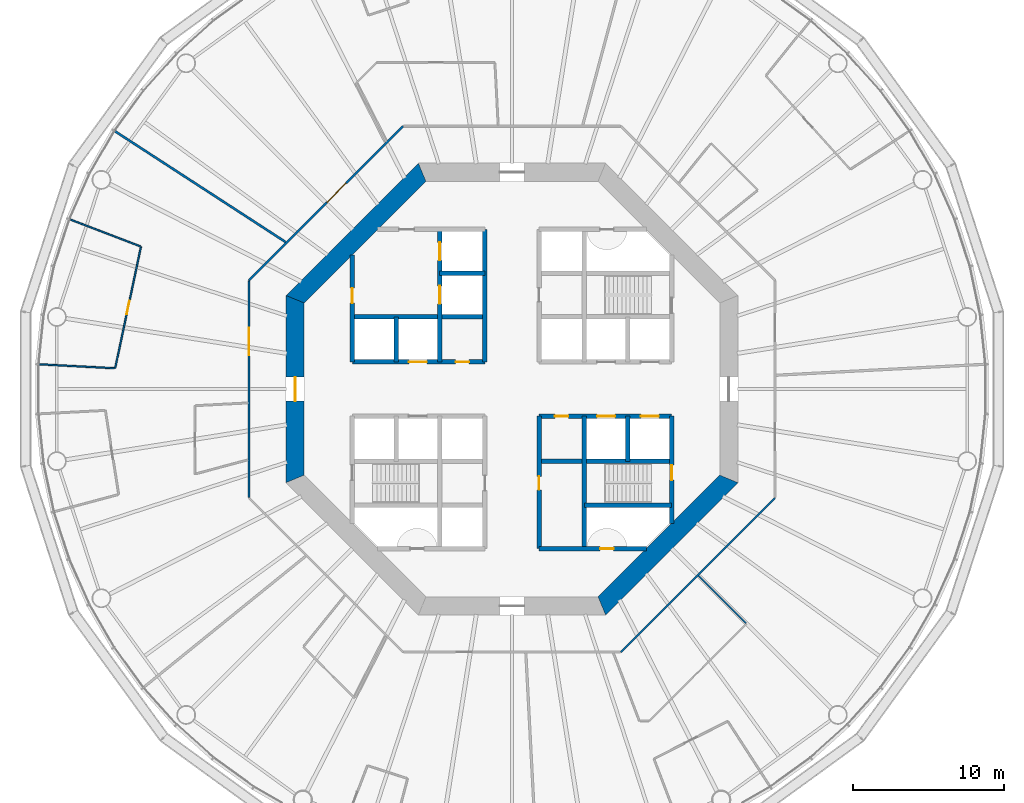
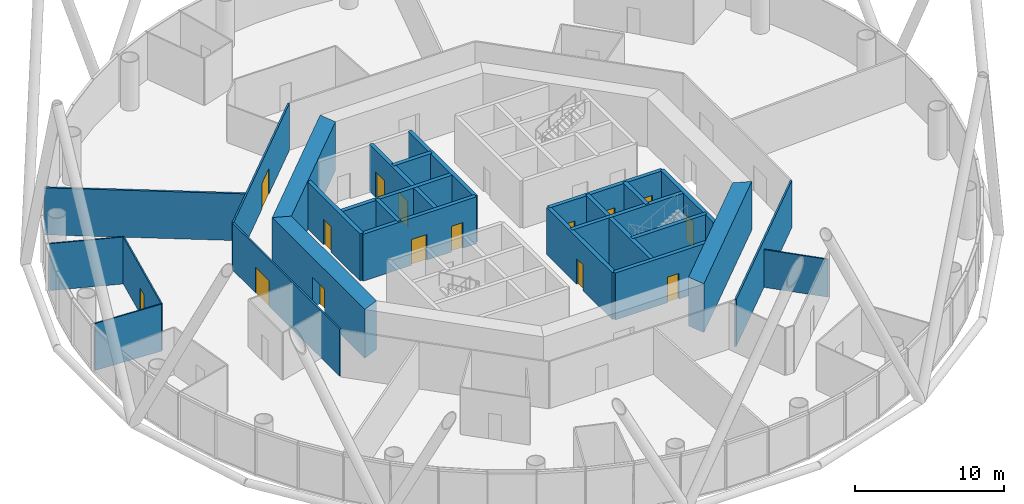
# One storey, part 4 of 13: 26 walls, 15 doors, 15 openings.
"""IFC4 building model written with IfcOpenShell, lengths in metres."""

from ifc_helpers import new_model, si_unit, direction, frame, frame_2d, origin, place, context, subcontext, project, spatial, polyline, rectangle, outline, extrude, material, layer, layer_set, type_object, element, fill, save


model = new_model("IFC4")

# Units and contexts
model_context = context("Model", 3, precision=1e-05, world=origin(), true_north=direction((0.0, 1.0)))
body_context = subcontext(model_context, "Body", "Model", "MODEL_VIEW")
ifc_project = project(units=[si_unit("LENGTHUNIT", "METRE"), si_unit("AREAUNIT", "SQUARE_METRE"), si_unit("VOLUMEUNIT", "CUBIC_METRE"), si_unit("PLANEANGLEUNIT", "RADIAN"), si_unit("MASSUNIT", "GRAM", prefix="KILO")], contexts=[model_context])

# Site, building, storey
site_placement = place(None, origin())
site = spatial("IfcSite", under=ifc_project, at=site_placement, CompositionType="ELEMENT")
building_placement = place(site_placement, origin())
building = spatial("IfcBuilding", under=site, at=building_placement, Name="Entoto Ring Tower", CompositionType="ELEMENT")
storey_placement = place(building_placement, frame((0.0, 0.0, 96.0)))
storey = spatial("IfcBuildingStorey", under=building, at=storey_placement, Name="L21", CompositionType="ELEMENT", Elevation=96.0)

# Wall, opening, door
ifc_material_1 = material(Name="Concrete C40/50", Category="concrete")
ifc_layer_1 = layer(ifc_material_1, 0.300048828125)
ifc_layer_set_1 = layer_set([ifc_layer_1], Name="Concrete C40/50")
wall_type_1 = type_object("IfcWallType", Name="Core enclosure wall 300 mm reinforced concrete", PredefinedType="SOLIDWALL", material=ifc_layer_set_1)
wall_1_placement = place(storey_placement, frame((100.60009765625, 71.083984375, 0.0), z_axis=(0.0, 0.0, 1.0), x_axis=(0.0, 1.0, 0.0)))
wall_1 = element("IfcWall", 1, at=wall_1_placement, inside=storey, type_object=wall_type_1, Name="wall-L21-001", PredefinedType="SOLIDWALL", context=body_context, shape_type="SweptSolid", body=[
    extrude(rectangle(XDim=7.115966796875, YDim=0.300048828125, at=frame_2d((3.55810546875, 0.0))), origin(), (0.0, 0.0, 1.0), 3.85009765625),
])
opening_1_placement = place(wall_1_placement, frame((2.8662109375, 0.0, 0.0)))
opening_1 = element("IfcOpeningElement", 2, at=opening_1_placement, cuts=wall_1, Name="Opening K-59", PredefinedType="OPENING", context=body_context, shape_type="SweptSolid", body=[
    extrude(rectangle(XDim=1.0, YDim=2.10009765625, at=frame_2d((0.5, 1.050048828125))), frame((0.0, 0.16015625, 0.0), z_axis=(0.0, -1.0, 0.0), x_axis=(1.0, 0.0, 0.0)), (0.0, 0.0, 1.0), 0.320068359375),
])
ifc_material_2 = material(Name="Steel door leaf, fire rated", Category="steel")
ifc_layer_2 = layer(ifc_material_2, 0.050048828125)
ifc_layer_set_2 = layer_set([ifc_layer_2], Name="Steel door leaf, fire rated")
door_type_1 = type_object("IfcDoorType", Name="Fire door FD60 1000 x 2100 single leaf", OperationType="NOTDEFINED", PredefinedType="DOOR", material=ifc_layer_set_2)
door_1_placement = place(opening_1_placement, origin())
door_1 = element("IfcDoor", 3, at=door_1_placement, inside=storey, type_object=door_type_1, Name="Door K-59", OperationType="SINGLE_SWING_RIGHT", OverallHeight=2.10009765625, OverallWidth=1.0, PredefinedType="DOOR", context=body_context, shape_type="SweptSolid", body=[
    extrude(rectangle(XDim=1.0, YDim=2.10009765625, at=frame_2d((0.5, 1.050048828125))), frame((0.0, 0.02490234375, 0.0), z_axis=(0.0, -1.0, 0.0), x_axis=(1.0, 0.0, 0.0)), (0.0, 0.0, 1.0), 0.050048828125),
])
fill(opening_1, door_1)

# Walls
wall_2_placement = place(storey_placement, frame((97.699951171875, 75.199951171875, 0.0), z_axis=(0.0, 0.0, 1.0), x_axis=(0.0, 1.0, 0.0)))
element("IfcWall", 4, at=wall_2_placement, inside=storey, type_object=wall_type_1, Name="wall-L21-003", PredefinedType="SOLIDWALL", context=body_context, shape_type="SweptSolid", body=[
    extrude(rectangle(XDim=3.0, YDim=0.300048828125, at=frame_2d((1.5, 0.0))), origin(), (0.0, 0.0, 1.0), 3.85009765625),
])
wall_3_placement = place(storey_placement, frame((94.800048828125, 69.39990234375, 0.0), z_axis=(0.0, 0.0, 1.0), x_axis=(0.0, 1.0, 0.0)))
element("IfcWall", 5, at=wall_3_placement, inside=storey, type_object=wall_type_1, Name="wall-L21-005", PredefinedType="SOLIDWALL", context=body_context, shape_type="SweptSolid", body=[
    extrude(rectangle(XDim=8.800048828125, YDim=0.300048828125, at=frame_2d((4.39990234375, 0.0))), origin(), (0.0, 0.0, 1.0), 3.85009765625),
])

# Wall, opening, door
wall_4_placement = place(storey_placement, frame((91.800048828125, 69.39990234375, 0.0), z_axis=(0.0, 0.0, 1.0), x_axis=(0.0, 1.0, 0.0)))
wall_4 = element("IfcWall", 6, at=wall_4_placement, inside=storey, type_object=wall_type_1, Name="wall-L21-007", PredefinedType="SOLIDWALL", context=body_context, shape_type="SweptSolid", body=[
    extrude(rectangle(XDim=8.800048828125, YDim=0.300048828125, at=frame_2d((4.39990234375, 0.0))), origin(), (0.0, 0.0, 1.0), 3.85009765625),
])
opening_2_placement = place(wall_4_placement, frame((3.89990234375, 0.0, 0.0)))
opening_2 = element("IfcOpeningElement", 7, at=opening_2_placement, cuts=wall_4, Name="Opening K-12", PredefinedType="OPENING", context=body_context, shape_type="SweptSolid", body=[
    extrude(rectangle(XDim=0.89990234375, YDim=2.10009765625, at=frame_2d((0.449951171875, 1.050048828125))), frame((0.0, 0.16015625, 0.0), z_axis=(0.0, -1.0, 0.0), x_axis=(1.0, 0.0, 0.0)), (0.0, 0.0, 1.0), 0.320068359375),
])
ifc_material_3 = material(Name="Steel door leaf, fire rated", Category="steel")
ifc_layer_3 = layer(ifc_material_3, 0.050048828125)
ifc_layer_set_3 = layer_set([ifc_layer_3], Name="Steel door leaf, fire rated")
door_type_2 = type_object("IfcDoorType", Name="Core door 900 x 2100 single leaf", OperationType="NOTDEFINED", PredefinedType="DOOR", material=ifc_layer_set_3)
door_2_placement = place(opening_2_placement, frame((0.89990234375, 0.0, 0.0), z_axis=(0.0, 0.0, 1.0), x_axis=(-1.0, 0.0, 0.0)))
door_2 = element("IfcDoor", 8, at=door_2_placement, inside=storey, type_object=door_type_2, Name="Door K-12", OperationType="SINGLE_SWING_LEFT", OverallHeight=2.10009765625, OverallWidth=0.89990234375, PredefinedType="DOOR", context=body_context, shape_type="SweptSolid", body=[
    extrude(rectangle(XDim=0.89990234375, YDim=2.10009765625, at=frame_2d((0.449951171875, 1.050048828125))), frame((0.0, 0.02490234375, 0.0), z_axis=(0.0, -1.0, 0.0), x_axis=(1.0, 0.0, 0.0)), (0.0, 0.0, 1.0), 0.050048828125),
])
fill(opening_2, door_2)

# Wall
wall_5_placement = place(storey_placement, frame((88.199951171875, 81.800048828125, 0.0), z_axis=(0.0, 0.0, 1.0), x_axis=(0.0, 1.0, 0.0)))
element("IfcWall", 9, at=wall_5_placement, inside=storey, type_object=wall_type_1, Name="wall-L21-010", PredefinedType="SOLIDWALL", context=body_context, shape_type="SweptSolid", body=[
    extrude(rectangle(XDim=8.800048828125, YDim=0.300048828125, at=frame_2d((4.39990234375, 0.0))), origin(), (0.0, 0.0, 1.0), 3.85009765625),
])

# Wall, openings, doors
wall_6_placement = place(storey_placement, frame((85.199951171875, 81.800048828125, 0.0), z_axis=(0.0, 0.0, 1.0), x_axis=(0.0, 1.0, 0.0)))
wall_6 = element("IfcWall", 10, at=wall_6_placement, inside=storey, type_object=wall_type_1, Name="wall-L21-012", PredefinedType="SOLIDWALL", context=body_context, shape_type="SweptSolid", body=[
    extrude(rectangle(XDim=8.800048828125, YDim=0.300048828125, at=frame_2d((4.39990234375, 0.0))), origin(), (0.0, 0.0, 1.0), 3.85009765625),
])
opening_3_placement = place(wall_6_placement, frame((3.85009765625, 0.0, 0.0)))
opening_3 = element("IfcOpeningElement", 11, at=opening_3_placement, cuts=wall_6, Name="Opening LD", PredefinedType="OPENING", context=body_context, shape_type="SweptSolid", body=[
    extrude(rectangle(XDim=1.199951171875, YDim=2.10009765625, at=frame_2d((0.60009765625, 1.050048828125))), frame((0.0, 0.16015625, 0.0), z_axis=(0.0, -1.0, 0.0), x_axis=(1.0, 0.0, 0.0)), (0.0, 0.0, 1.0), 0.320068359375),
])
opening_4_placement = place(wall_6_placement, frame((6.75, 0.0, 0.0)))
opening_4 = element("IfcOpeningElement", 12, at=opening_4_placement, cuts=wall_6, Name="Opening LD", PredefinedType="OPENING", context=body_context, shape_type="SweptSolid", body=[
    extrude(rectangle(XDim=1.199951171875, YDim=2.10009765625, at=frame_2d((0.60009765625, 1.050048828125))), frame((0.0, 0.16015625, 0.0), z_axis=(0.0, -1.0, 0.0), x_axis=(1.0, 0.0, 0.0)), (0.0, 0.0, 1.0), 0.320068359375),
])
ifc_material_4 = material(Name="Steel and glass door leaf", Category="steel")
ifc_layer_4 = layer(ifc_material_4, 0.050048828125)
ifc_layer_set_4 = layer_set([ifc_layer_4], Name="Steel and glass door leaf")
door_type_3 = type_object("IfcDoorType", Name="Landing door 1200 x 2100 sliding", OperationType="DOUBLE_DOOR_SLIDING", PredefinedType="DOOR", material=ifc_layer_set_4)
door_3_placement = place(opening_3_placement, origin())
door_3 = element("IfcDoor", 13, at=door_3_placement, inside=storey, type_object=door_type_3, Name="Landing door FF1", OperationType="SLIDING_TO_RIGHT", OverallHeight=2.10009765625, OverallWidth=1.199951171875, PredefinedType="DOOR", context=body_context, shape_type="SweptSolid", body=[
    extrude(rectangle(XDim=1.199951171875, YDim=2.10009765625, at=frame_2d((0.60009765625, 1.050048828125))), frame((0.0, 0.02490234375, 0.0), z_axis=(0.0, -1.0, 0.0), x_axis=(1.0, 0.0, 0.0)), (0.0, 0.0, 1.0), 0.050048828125),
])
fill(opening_3, door_3)
door_4_placement = place(opening_4_placement, origin())
door_4 = element("IfcDoor", 14, at=door_4_placement, inside=storey, type_object=door_type_3, Name="Landing door FF2", OperationType="SLIDING_TO_RIGHT", OverallHeight=2.10009765625, OverallWidth=1.199951171875, PredefinedType="DOOR", context=body_context, shape_type="SweptSolid", body=[
    extrude(rectangle(XDim=1.199951171875, YDim=2.10009765625, at=frame_2d((0.60009765625, 1.050048828125))), frame((0.0, 0.02490234375, 0.0), z_axis=(0.0, -1.0, 0.0), x_axis=(1.0, 0.0, 0.0)), (0.0, 0.0, 1.0), 0.050048828125),
])
fill(opening_4, door_4)

# Wall
wall_7_placement = place(storey_placement, frame((82.300048828125, 81.800048828125, 0.0), z_axis=(0.0, 0.0, 1.0), x_axis=(0.0, 1.0, 0.0)))
element("IfcWall", 15, at=wall_7_placement, inside=storey, type_object=wall_type_1, Name="wall-L21-014", PredefinedType="SOLIDWALL", context=body_context, shape_type="SweptSolid", body=[
    extrude(rectangle(XDim=3.0, YDim=0.300048828125, at=frame_2d((1.5, 0.0))), origin(), (0.0, 0.0, 1.0), 3.85009765625),
])

# Wall, opening, door
wall_8_placement = place(storey_placement, frame((79.39990234375, 81.800048828125, 0.0), z_axis=(0.0, 0.0, 1.0), x_axis=(0.0, 1.0, 0.0)))
wall_8 = element("IfcWall", 16, at=wall_8_placement, inside=storey, type_object=wall_type_1, Name="wall-L21-016", PredefinedType="SOLIDWALL", context=body_context, shape_type="SweptSolid", body=[
    extrude(rectangle(XDim=7.115966796875, YDim=0.300048828125, at=frame_2d((3.55810546875, 0.0))), origin(), (0.0, 0.0, 1.0), 3.85009765625),
])
opening_5_placement = place(wall_8_placement, frame((3.89990234375, 0.0, 0.0)))
opening_5 = element("IfcOpeningElement", 17, at=opening_5_placement, cuts=wall_8, Name="Opening K-22", PredefinedType="OPENING", context=body_context, shape_type="SweptSolid", body=[
    extrude(rectangle(XDim=1.0, YDim=2.10009765625, at=frame_2d((0.5, 1.050048828125))), frame((0.0, 0.16015625, 0.0), z_axis=(0.0, -1.0, 0.0), x_axis=(1.0, 0.0, 0.0)), (0.0, 0.0, 1.0), 0.320068359375),
])
door_5_placement = place(opening_5_placement, frame((1.0, 0.0, 0.0), z_axis=(0.0, 0.0, 1.0), x_axis=(-1.0, 0.0, 0.0)))
door_5 = element("IfcDoor", 18, at=door_5_placement, inside=storey, type_object=door_type_1, Name="Door K-22", OperationType="SINGLE_SWING_LEFT", OverallHeight=2.10009765625, OverallWidth=1.0, PredefinedType="DOOR", context=body_context, shape_type="SweptSolid", body=[
    extrude(rectangle(XDim=1.0, YDim=2.10009765625, at=frame_2d((0.5, 1.050048828125))), frame((0.0, 0.02490234375, 0.0), z_axis=(0.0, -1.0, 0.0), x_axis=(1.0, 0.0, 0.0)), (0.0, 0.0, 1.0), 0.050048828125),
])
fill(opening_5, door_5)

wall_9_placement = place(storey_placement, frame((91.800048828125, 69.39990234375, 0.0), z_axis=(0.0, 0.0, 1.0), x_axis=(1.0, 0.0, 0.0)))
wall_9 = element("IfcWall", 19, at=wall_9_placement, inside=storey, type_object=wall_type_1, Name="wall-L21-018", PredefinedType="SOLIDWALL", context=body_context, shape_type="SweptSolid", body=[
    extrude(rectangle(XDim=7.115966796875, YDim=0.300048828125, at=frame_2d((3.55810546875, 0.0))), origin(), (0.0, 0.0, 1.0), 3.85009765625),
])
opening_6_placement = place(wall_9_placement, frame((4.050048828125, 0.0, 0.0)))
opening_6 = element("IfcOpeningElement", 20, at=opening_6_placement, cuts=wall_9, Name="Opening K-66", PredefinedType="OPENING", context=body_context, shape_type="SweptSolid", body=[
    extrude(rectangle(XDim=0.89990234375, YDim=2.10009765625, at=frame_2d((0.449951171875, 1.050048828125))), frame((0.0, 0.16015625, 0.0), z_axis=(0.0, -1.0, 0.0), x_axis=(1.0, 0.0, 0.0)), (0.0, 0.0, 1.0), 0.320068359375),
])
ifc_material_5 = material(Name="Steel door leaf, fire rated", Category="steel")
ifc_layer_5 = layer(ifc_material_5, 0.050048828125)
ifc_layer_set_5 = layer_set([ifc_layer_5], Name="Steel door leaf, fire rated")
door_type_4 = type_object("IfcDoorType", Name="Riser door FD60 900 x 2100 single leaf", OperationType="NOTDEFINED", PredefinedType="DOOR", material=ifc_layer_set_5)
door_6_placement = place(opening_6_placement, origin())
door_6 = element("IfcDoor", 21, at=door_6_placement, inside=storey, type_object=door_type_4, Name="Door K-66", OperationType="SINGLE_SWING_LEFT", OverallHeight=2.10009765625, OverallWidth=0.89990234375, PredefinedType="DOOR", context=body_context, shape_type="SweptSolid", body=[
    extrude(rectangle(XDim=0.89990234375, YDim=2.10009765625, at=frame_2d((0.449951171875, 1.050048828125))), frame((0.0, 0.02490234375, 0.0), z_axis=(0.0, -1.0, 0.0), x_axis=(1.0, 0.0, 0.0)), (0.0, 0.0, 1.0), 0.050048828125),
])
fill(opening_6, door_6)

# Walls
wall_10_placement = place(storey_placement, frame((94.800048828125, 72.300048828125, 0.0), z_axis=(0.0, 0.0, 1.0), x_axis=(1.0, 0.0, 0.0)))
element("IfcWall", 22, at=wall_10_placement, inside=storey, type_object=wall_type_1, Name="wall-L21-020", PredefinedType="SOLIDWALL", context=body_context, shape_type="SweptSolid", body=[
    extrude(rectangle(XDim=5.800048828125, YDim=0.300048828125, at=frame_2d((2.89990234375, 0.0))), origin(), (0.0, 0.0, 1.0), 3.85009765625),
])
wall_11_placement = place(storey_placement, frame((91.800048828125, 75.199951171875, 0.0), z_axis=(0.0, 0.0, 1.0), x_axis=(1.0, 0.0, 0.0)))
element("IfcWall", 23, at=wall_11_placement, inside=storey, type_object=wall_type_1, Name="wall-L21-022", PredefinedType="SOLIDWALL", context=body_context, shape_type="SweptSolid", body=[
    extrude(rectangle(XDim=8.800048828125, YDim=0.300048828125, at=frame_2d((4.39990234375, 0.0))), origin(), (0.0, 0.0, 1.0), 3.85009765625),
])

# Wall, openings, doors
wall_12_placement = place(storey_placement, frame((91.800048828125, 78.199951171875, 0.0), z_axis=(0.0, 0.0, 1.0), x_axis=(1.0, 0.0, 0.0)))
wall_12 = element("IfcWall", 24, at=wall_12_placement, inside=storey, type_object=wall_type_1, Name="wall-L21-024", PredefinedType="SOLIDWALL", context=body_context, shape_type="SweptSolid", body=[
    extrude(rectangle(XDim=8.800048828125, YDim=0.300048828125, at=frame_2d((4.39990234375, 0.0))), origin(), (0.0, 0.0, 1.0), 3.85009765625),
])
opening_7_placement = place(wall_12_placement, frame((3.85009765625, 0.0, 0.0)))
opening_7 = element("IfcOpeningElement", 25, at=opening_7_placement, cuts=wall_12, Name="Opening LD", PredefinedType="OPENING", context=body_context, shape_type="SweptSolid", body=[
    extrude(rectangle(XDim=1.199951171875, YDim=2.10009765625, at=frame_2d((0.60009765625, 1.050048828125))), frame((0.0, 0.16015625, 0.0), z_axis=(0.0, -1.0, 0.0), x_axis=(1.0, 0.0, 0.0)), (0.0, 0.0, 1.0), 0.320068359375),
])
opening_8_placement = place(wall_12_placement, frame((6.75, 0.0, 0.0)))
opening_8 = element("IfcOpeningElement", 26, at=opening_8_placement, cuts=wall_12, Name="Opening LD", PredefinedType="OPENING", context=body_context, shape_type="SweptSolid", body=[
    extrude(rectangle(XDim=1.199951171875, YDim=2.10009765625, at=frame_2d((0.60009765625, 1.050048828125))), frame((0.0, 0.16015625, 0.0), z_axis=(0.0, -1.0, 0.0), x_axis=(1.0, 0.0, 0.0)), (0.0, 0.0, 1.0), 0.320068359375),
])
opening_9_placement = place(wall_12_placement, frame((1.050048828125, 0.0, 0.0)))
opening_9 = element("IfcOpeningElement", 27, at=opening_9_placement, cuts=wall_12, Name="Opening K-15", PredefinedType="OPENING", context=body_context, shape_type="SweptSolid", body=[
    extrude(rectangle(XDim=0.89990234375, YDim=2.10009765625, at=frame_2d((0.449951171875, 1.050048828125))), frame((0.0, 0.16015625, 0.0), z_axis=(0.0, -1.0, 0.0), x_axis=(1.0, 0.0, 0.0)), (0.0, 0.0, 1.0), 0.320068359375),
])
door_7_placement = place(opening_9_placement, frame((0.89990234375, 0.0, 0.0), z_axis=(0.0, 0.0, 1.0), x_axis=(-1.0, 0.0, 0.0)))
door_7 = element("IfcDoor", 28, at=door_7_placement, inside=storey, type_object=door_type_2, Name="Door K-15", OperationType="SINGLE_SWING_RIGHT", OverallHeight=2.10009765625, OverallWidth=0.89990234375, PredefinedType="DOOR", context=body_context, shape_type="SweptSolid", body=[
    extrude(rectangle(XDim=0.89990234375, YDim=2.10009765625, at=frame_2d((0.449951171875, 1.050048828125))), frame((0.0, 0.02490234375, 0.0), z_axis=(0.0, -1.0, 0.0), x_axis=(1.0, 0.0, 0.0)), (0.0, 0.0, 1.0), 0.050048828125),
])
fill(opening_9, door_7)
door_8_placement = place(opening_7_placement, origin())
door_8 = element("IfcDoor", 29, at=door_8_placement, inside=storey, type_object=door_type_3, Name="Landing door LB4-LR", OperationType="SLIDING_TO_RIGHT", OverallHeight=2.10009765625, OverallWidth=1.199951171875, PredefinedType="DOOR", context=body_context, shape_type="SweptSolid", body=[
    extrude(rectangle(XDim=1.199951171875, YDim=2.10009765625, at=frame_2d((0.60009765625, 1.050048828125))), frame((0.0, 0.02490234375, 0.0), z_axis=(0.0, -1.0, 0.0), x_axis=(1.0, 0.0, 0.0)), (0.0, 0.0, 1.0), 0.050048828125),
])
fill(opening_7, door_8)
door_9_placement = place(opening_8_placement, origin())
door_9 = element("IfcDoor", 30, at=door_9_placement, inside=storey, type_object=door_type_3, Name="Landing door LB5-LR", OperationType="SLIDING_TO_RIGHT", OverallHeight=2.10009765625, OverallWidth=1.199951171875, PredefinedType="DOOR", context=body_context, shape_type="SweptSolid", body=[
    extrude(rectangle(XDim=1.199951171875, YDim=2.10009765625, at=frame_2d((0.60009765625, 1.050048828125))), frame((0.0, 0.02490234375, 0.0), z_axis=(0.0, -1.0, 0.0), x_axis=(1.0, 0.0, 0.0)), (0.0, 0.0, 1.0), 0.050048828125),
])
fill(opening_8, door_9)

wall_13_placement = place(storey_placement, frame((79.39990234375, 81.800048828125, 0.0), z_axis=(0.0, 0.0, 1.0), x_axis=(1.0, 0.0, 0.0)))
wall_13 = element("IfcWall", 31, at=wall_13_placement, inside=storey, type_object=wall_type_1, Name="wall-L21-025", PredefinedType="SOLIDWALL", context=body_context, shape_type="SweptSolid", body=[
    extrude(rectangle(XDim=8.800048828125, YDim=0.300048828125, at=frame_2d((4.39990234375, 0.0))), origin(), (0.0, 0.0, 1.0), 3.85009765625),
])
opening_10_placement = place(wall_13_placement, frame((3.75, 0.0, 0.0)))
opening_10 = element("IfcOpeningElement", 32, at=opening_10_placement, cuts=wall_13, Name="Opening LD", PredefinedType="OPENING", context=body_context, shape_type="SweptSolid", body=[
    extrude(rectangle(XDim=1.199951171875, YDim=2.10009765625, at=frame_2d((0.60009765625, 1.050048828125))), frame((0.0, 0.16015625, 0.0), z_axis=(0.0, -1.0, 0.0), x_axis=(1.0, 0.0, 0.0)), (0.0, 0.0, 1.0), 0.320068359375),
])
opening_11_placement = place(wall_13_placement, frame((6.85009765625, 0.0, 0.0)))
opening_11 = element("IfcOpeningElement", 33, at=opening_11_placement, cuts=wall_13, Name="Opening K-14", PredefinedType="OPENING", context=body_context, shape_type="SweptSolid", body=[
    extrude(rectangle(XDim=0.89990234375, YDim=2.10009765625, at=frame_2d((0.449951171875, 1.050048828125))), frame((0.0, 0.16015625, 0.0), z_axis=(0.0, -1.0, 0.0), x_axis=(1.0, 0.0, 0.0)), (0.0, 0.0, 1.0), 0.320068359375),
])
door_10_placement = place(opening_11_placement, frame((0.89990234375, 0.0, 0.0), z_axis=(0.0, 0.0, 1.0), x_axis=(-1.0, 0.0, 0.0)))
door_10 = element("IfcDoor", 34, at=door_10_placement, inside=storey, type_object=door_type_2, Name="Door K-14", OperationType="SINGLE_SWING_RIGHT", OverallHeight=2.10009765625, OverallWidth=0.89990234375, PredefinedType="DOOR", context=body_context, shape_type="SweptSolid", body=[
    extrude(rectangle(XDim=0.89990234375, YDim=2.10009765625, at=frame_2d((0.449951171875, 1.050048828125))), frame((0.0, 0.02490234375, 0.0), z_axis=(0.0, -1.0, 0.0), x_axis=(1.0, 0.0, 0.0)), (0.0, 0.0, 1.0), 0.050048828125),
])
fill(opening_11, door_10)
door_11_placement = place(opening_10_placement, origin())
door_11 = element("IfcDoor", 35, at=door_11_placement, inside=storey, type_object=door_type_3, Name="Landing door LB3-LR", OperationType="SLIDING_TO_RIGHT", OverallHeight=2.10009765625, OverallWidth=1.199951171875, PredefinedType="DOOR", context=body_context, shape_type="SweptSolid", body=[
    extrude(rectangle(XDim=1.199951171875, YDim=2.10009765625, at=frame_2d((0.60009765625, 1.050048828125))), frame((0.0, 0.02490234375, 0.0), z_axis=(0.0, -1.0, 0.0), x_axis=(1.0, 0.0, 0.0)), (0.0, 0.0, 1.0), 0.050048828125),
])
fill(opening_10, door_11)

# Walls
wall_14_placement = place(storey_placement, frame((79.39990234375, 84.800048828125, 0.0), z_axis=(0.0, 0.0, 1.0), x_axis=(1.0, 0.0, 0.0)))
element("IfcWall", 36, at=wall_14_placement, inside=storey, type_object=wall_type_1, Name="wall-L21-027", PredefinedType="SOLIDWALL", context=body_context, shape_type="SweptSolid", body=[
    extrude(rectangle(XDim=8.800048828125, YDim=0.300048828125, at=frame_2d((4.39990234375, 0.0))), origin(), (0.0, 0.0, 1.0), 3.85009765625),
])
wall_15_placement = place(storey_placement, frame((85.199951171875, 87.699951171875, 0.0), z_axis=(0.0, 0.0, 1.0), x_axis=(1.0, 0.0, 0.0)))
element("IfcWall", 37, at=wall_15_placement, inside=storey, type_object=wall_type_1, Name="wall-L21-029", PredefinedType="SOLIDWALL", context=body_context, shape_type="SweptSolid", body=[
    extrude(rectangle(XDim=3.0, YDim=0.300048828125, at=frame_2d((1.5, 0.0))), origin(), (0.0, 0.0, 1.0), 3.85009765625),
])
ifc_material_6 = material(Name="Concrete C60/75", Category="concrete")
ifc_layer_6 = layer(ifc_material_6, 1.199951171875)
ifc_layer_set_6 = layer_set([ifc_layer_6], Name="Concrete C60/75")
wall_type_2 = type_object("IfcWallType", Name="Core shear wall 1200 mm reinforced concrete C60/75", PredefinedType="SHEAR", material=ifc_layer_set_6)
wall_16_placement = place(storey_placement, frame((84.035400390625, 94.39990234375, 0.0), z_axis=(0.0, 0.0, 1.0), x_axis=(-0.707106781187, -0.707106781187, 0.0)))
element("IfcWall", 38, at=wall_16_placement, inside=storey, type_object=wall_type_2, Name="wall-L21-core-3", PredefinedType="SHEAR", context=body_context, shape_type="SweptSolid", body=[
    extrude(outline(polyline([(-0.24853515625, -0.60009765625), (12.177734375, -0.60009765625), (11.6806640625, 0.60009765625), (0.24853515625, 0.60009765625), (-0.24853515625, -0.60009765625)])), origin(), (0.0, 0.0, 1.0), 4.0),
])

# Wall, opening, door
wall_17_placement = place(storey_placement, frame((75.60009765625, 85.964599609375, 0.0), z_axis=(0.0, 0.0, 1.0), x_axis=(0.0, -1.0, 0.0)))
wall_17 = element("IfcWall", 39, at=wall_17_placement, inside=storey, type_object=wall_type_2, Name="wall-L21-core-4", PredefinedType="SHEAR", context=body_context, shape_type="SweptSolid", body=[
    extrude(outline(polyline([(-0.24853515625, -0.60009765625), (12.177734375, -0.60009765625), (11.6806640625, 0.60009765625), (0.24853515625, 0.60009765625), (-0.24853515625, -0.60009765625)])), origin(), (0.0, 0.0, 1.0), 4.0),
])
opening_12_placement = place(wall_17_placement, frame((5.164794921875, 0.0, 0.0)))
opening_12 = element("IfcOpeningElement", 40, at=opening_12_placement, cuts=wall_17, Name="Opening K-03", PredefinedType="OPENING", context=body_context, shape_type="SweptSolid", body=[
    extrude(rectangle(XDim=1.60009765625, YDim=2.39990234375, at=frame_2d((0.800048828125, 1.199951171875))), frame((0.0, 0.60986328125, 0.0), z_axis=(0.0, -1.0, 0.0), x_axis=(1.0, 0.0, 0.0)), (0.0, 0.0, 1.0), 1.219970703125),
])
ifc_material_7 = material(Name="Steel door leaf, fire rated", Category="steel")
ifc_layer_7 = layer(ifc_material_7, 0.050048828125)
ifc_layer_set_7 = layer_set([ifc_layer_7], Name="Steel door leaf, fire rated")
door_type_5 = type_object("IfcDoorType", Name="Entrance door FD60 1600 x 2400 double leaf", OperationType="DOUBLE_DOOR_SINGLE_SWING", PredefinedType="DOOR", material=ifc_layer_set_7)
door_12_placement = place(opening_12_placement, origin())
door_12 = element("IfcDoor", 41, at=door_12_placement, inside=storey, type_object=door_type_5, Name="Entrance door K-03", OperationType="DOUBLE_DOOR_SINGLE_SWING", OverallHeight=2.39990234375, OverallWidth=1.60009765625, PredefinedType="DOOR", context=body_context, shape_type="SweptSolid", body=[
    extrude(rectangle(XDim=1.60009765625, YDim=2.39990234375, at=frame_2d((0.800048828125, 1.199951171875))), frame((0.0, 0.02490234375, 0.0), z_axis=(0.0, -1.0, 0.0), x_axis=(1.0, 0.0, 0.0)), (0.0, 0.0, 1.0), 0.050048828125),
])
fill(opening_12, door_12)

# Wall
wall_18_placement = place(storey_placement, frame((95.964599609375, 65.60009765625, 0.0), z_axis=(0.0, 0.0, 1.0), x_axis=(0.707106781187, 0.707106781187, 0.0)))
element("IfcWall", 42, at=wall_18_placement, inside=storey, type_object=wall_type_2, Name="wall-L21-core-7", PredefinedType="SHEAR", context=body_context, shape_type="SweptSolid", body=[
    extrude(outline(polyline([(-0.24853515625, -0.60009765625), (12.177734375, -0.60009765625), (11.6806640625, 0.60009765625), (0.24853515625, 0.60009765625), (-0.24853515625, -0.60009765625)])), origin(), (0.0, 0.0, 1.0), 4.0),
])

# Wall, opening, door
ifc_material_8 = material(Name="Fire-resisting plasterboard on steel studs", Category="steel")
ifc_layer_8 = layer(ifc_material_8, 0.125)
ifc_layer_set_8 = layer_set([ifc_layer_8], Name="Fire-resisting plasterboard on steel studs")
wall_type_3 = type_object("IfcWallType", Name="Corridor wall 125 mm one-hour plasterboard on steel studs", PredefinedType="PARTITIONING", material=ifc_layer_set_8)
wall_19_placement = place(storey_placement, frame((72.53759765625, 87.233154296875, 0.0), z_axis=(0.0, 0.0, 1.0), x_axis=(0.707106781187, 0.707106781187, 0.0)))
wall_19 = element("IfcWall", 43, at=wall_19_placement, inside=storey, type_object=wall_type_3, Name="partition-L21-001", PredefinedType="PARTITIONING", context=body_context, shape_type="SweptSolid", body=[
    extrude(rectangle(XDim=14.46630859375, YDim=0.125, at=frame_2d((7.233154296875, 0.0))), origin(), (0.0, 0.0, 1.0), 3.85009765625),
])
opening_13_placement = place(wall_19_placement, frame((7.314208984375, 0.0, 0.0)))
opening_13 = element("IfcOpeningElement", 44, at=opening_13_placement, cuts=wall_19, Name="Opening A09-D07", PredefinedType="OPENING", context=body_context, shape_type="SweptSolid", body=[
    extrude(rectangle(XDim=1.800048828125, YDim=2.10009765625, at=frame_2d((0.89990234375, 1.050048828125))), frame((0.0, 0.072509765625, 0.0), z_axis=(0.0, -1.0, 0.0), x_axis=(1.0, 0.0, 0.0)), (0.0, 0.0, 1.0), 0.14501953125),
])
ifc_material_9 = material(Name="Fire-resisting timber door set", Category="wood")
door_type_6 = type_object("IfcDoorType", Name="Door 1800 x 2100 double leaf FD30S fire door", OperationType="DOUBLE_DOOR_SINGLE_SWING", PredefinedType="DOOR", material=ifc_material_9)
door_13_placement = place(opening_13_placement, origin())
door_13 = element("IfcDoor", 45, at=door_13_placement, inside=storey, type_object=door_type_6, Name="Door A09-D07", OperationType="DOUBLE_DOOR_SINGLE_SWING", OverallHeight=2.10009765625, OverallWidth=1.800048828125, PredefinedType="DOOR", context=body_context, shape_type="SweptSolid", body=[
    extrude(rectangle(XDim=1.800048828125, YDim=2.10009765625, at=frame_2d((0.89990234375, 1.050048828125))), frame((0.0, 0.02490234375, 0.0), z_axis=(0.0, -1.0, 0.0), x_axis=(1.0, 0.0, 0.0)), (0.0, 0.0, 1.0), 0.050048828125),
])
fill(opening_13, door_13)

# Wall
wall_20_placement = place(storey_placement, frame((97.233154296875, 62.53759765625, 0.0), z_axis=(0.0, 0.0, 1.0), x_axis=(0.707106781187, 0.707106781187, 0.0)))
element("IfcWall", 46, at=wall_20_placement, inside=storey, type_object=wall_type_3, Name="partition-L21-003", PredefinedType="PARTITIONING", context=body_context, shape_type="SweptSolid", body=[
    extrude(rectangle(XDim=14.46630859375, YDim=0.125, at=frame_2d((7.233154296875, 0.0))), origin(), (0.0, 0.0, 1.0), 3.85009765625),
])

# Wall, opening, door
wall_21_placement = place(storey_placement, frame((72.53759765625, 72.810791015625, 0.0), z_axis=(0.0, 0.0, 1.0), x_axis=(0.0, 1.0, 0.0)))
wall_21 = element("IfcWall", 47, at=wall_21_placement, inside=storey, type_object=wall_type_3, Name="partition-L21-005", PredefinedType="PARTITIONING", context=body_context, shape_type="SweptSolid", body=[
    extrude(rectangle(XDim=14.37841796875, YDim=0.125, at=frame_2d((7.189208984375, 0.0))), origin(), (0.0, 0.0, 1.0), 3.85009765625),
])
opening_14_placement = place(wall_21_placement, frame((9.4482421875, 0.0, 0.0)))
opening_14 = element("IfcOpeningElement", 48, at=opening_14_placement, cuts=wall_21, Name="Opening A09-D10", PredefinedType="OPENING", context=body_context, shape_type="SweptSolid", body=[
    extrude(rectangle(XDim=1.800048828125, YDim=2.10009765625, at=frame_2d((0.89990234375, 1.050048828125))), frame((0.0, 0.072509765625, 0.0), z_axis=(0.0, -1.0, 0.0), x_axis=(1.0, 0.0, 0.0)), (0.0, 0.0, 1.0), 0.14501953125),
])
door_14_placement = place(opening_14_placement, origin())
door_14 = element("IfcDoor", 49, at=door_14_placement, inside=storey, type_object=door_type_6, Name="Door A09-D10", OperationType="DOUBLE_DOOR_SINGLE_SWING", OverallHeight=2.10009765625, OverallWidth=1.800048828125, PredefinedType="DOOR", context=body_context, shape_type="SweptSolid", body=[
    extrude(rectangle(XDim=1.800048828125, YDim=2.10009765625, at=frame_2d((0.89990234375, 1.050048828125))), frame((0.0, 0.02490234375, 0.0), z_axis=(0.0, -1.0, 0.0), x_axis=(1.0, 0.0, 0.0)), (0.0, 0.0, 1.0), 0.050048828125),
])
fill(opening_14, door_14)

ifc_material_10 = material(Name="Plasterboard on steel studs", Category="steel")
ifc_layer_9 = layer(ifc_material_10, 0.10009765625)
ifc_layer_set_9 = layer_set([ifc_layer_9], Name="Plasterboard on steel studs")
wall_type_4 = type_object("IfcWallType", Name="Partition 100 mm plasterboard on steel studs", PredefinedType="PARTITIONING", material=ifc_layer_set_9)
wall_22_placement = place(storey_placement, frame((63.646240234375, 81.381103515625, 0.0), z_axis=(0.0, 0.0, 1.0), x_axis=(0.207901193137, 0.978149832026, 0.0)))
wall_22 = element("IfcWall", 50, at=wall_22_placement, inside=storey, type_object=wall_type_4, Name="partition-L21-016", PredefinedType="PARTITIONING", context=body_context, shape_type="SweptSolid", body=[
    extrude(rectangle(XDim=8.256591796875, YDim=0.10009765625, at=frame_2d((4.12841796875, 0.0))), origin(), (0.0, 0.0, 1.0), 3.85009765625),
])
opening_15_placement = place(wall_22_placement, frame((3.67822265625, 0.0, 0.0)))
opening_15 = element("IfcOpeningElement", 51, at=opening_15_placement, cuts=wall_22, Name="Opening A09-D12", PredefinedType="OPENING", context=body_context, shape_type="SweptSolid", body=[
    extrude(rectangle(XDim=0.89990234375, YDim=2.10009765625, at=frame_2d((0.449951171875, 1.050048828125))), frame((0.0, 0.06005859375, 0.0), z_axis=(0.0, -1.0, 0.0), x_axis=(1.0, 0.0, 0.0)), (0.0, 0.0, 1.0), 0.1201171875),
])
ifc_material_11 = material(Name="Veneered timber door leaf in timber frame", Category="wood")
door_type_7 = type_object("IfcDoorType", Name="Door 900 x 2100 single leaf timber veneer", OperationType="NOTDEFINED", PredefinedType="DOOR", material=ifc_material_11)
door_15_placement = place(opening_15_placement, origin())
door_15 = element("IfcDoor", 52, at=door_15_placement, inside=storey, type_object=door_type_7, Name="Door A09-D12", OperationType="SINGLE_SWING_LEFT", OverallHeight=2.10009765625, OverallWidth=0.89990234375, PredefinedType="DOOR", context=body_context, shape_type="SweptSolid", body=[
    extrude(rectangle(XDim=0.89990234375, YDim=2.10009765625, at=frame_2d((0.449951171875, 1.050048828125))), frame((0.0, 0.02490234375, 0.0), z_axis=(0.0, -1.0, 0.0), x_axis=(1.0, 0.0, 0.0)), (0.0, 0.0, 1.0), 0.050048828125),
])
fill(opening_15, door_15)

# Walls
for number, where, z_axis, x_axis, name in (
    (53, (63.596923828125, 81.3837890625, 0.0), (0.0, 0.0, 1.0), (-0.998629537626, 0.052335901459, 0.0), "partition-L21-022"),
    (54, (65.31689453125, 89.47509765625, 0.0), (0.0, 0.0, 1.0), (-0.933590747986, 0.358341059991, 0.0), "partition-L21-023"),
):
    element("IfcWall", number, at=place(storey_placement, frame(where, z_axis=z_axis, x_axis=x_axis)), inside=storey, type_object=wall_type_4, Name=name, PredefinedType="PARTITIONING", context=body_context, shape_type="SweptSolid", body=[
        extrude(rectangle(XDim=5.000732421875, YDim=0.10009765625, at=frame_2d((2.50048828125, 0.0))), origin(), (0.0, 0.0, 1.0), 3.85009765625),
    ])
ifc_material_12 = material(Name="Plasterboard on steel studs", Category="steel")
ifc_layer_10 = layer(ifc_material_12, 0.10009765625)
ifc_layer_set_10 = layer_set([ifc_layer_10], Name="Plasterboard on steel studs")
wall_type_5 = type_object("IfcWallType", Name="Partition 100 mm plasterboard on steel studs, 3097 mm high", PredefinedType="PARTITIONING", material=ifc_layer_set_10)
wall_23_placement = place(storey_placement, frame((105.5439453125, 64.4560546875, 0.0), z_axis=(0.0, 0.0, 1.0), x_axis=(-0.707106781187, 0.707106781187, 0.0)))
element("IfcWall", 55, at=wall_23_placement, inside=storey, type_object=wall_type_5, Name="partition-L21-033", PredefinedType="PARTITIONING", context=body_context, shape_type="SweptSolid", body=[
    extrude(rectangle(XDim=4.457275390625, YDim=0.10009765625, at=frame_2d((2.228515625, 0.0))), origin(), (0.0, 0.0, 1.0), 3.096923828125),
])
ifc_material_13 = material(Name="Fire-resisting acoustic plasterboard on steel studs", Category="steel")
ifc_layer_11 = layer(ifc_material_13, 0.14990234375)
ifc_layer_set_11 = layer_set([ifc_layer_11], Name="Fire-resisting acoustic plasterboard on steel studs")
wall_type_6 = type_object("IfcWallType", Name="Party wall 150 mm one-hour acoustic plasterboard on steel studs", PredefinedType="PARTITIONING", material=ifc_layer_set_11)
wall_24_placement = place(storey_placement, frame((74.960693359375, 89.7666015625, 0.0), z_axis=(0.0, 0.0, 1.0), x_axis=(-0.838669008766, 0.544641435933, 0.0)))
element("IfcWall", 56, at=wall_24_placement, inside=storey, type_object=wall_type_6, Name="partition-L21-012", PredefinedType="PARTITIONING", context=body_context, shape_type="SweptSolid", body=[
    extrude(rectangle(XDim=13.5078125, YDim=0.14990234375, at=frame_2d((6.75390625, 0.0))), origin(), (0.0, 0.0, 1.0), 3.85009765625),
])

save(model, "model.ifc")
